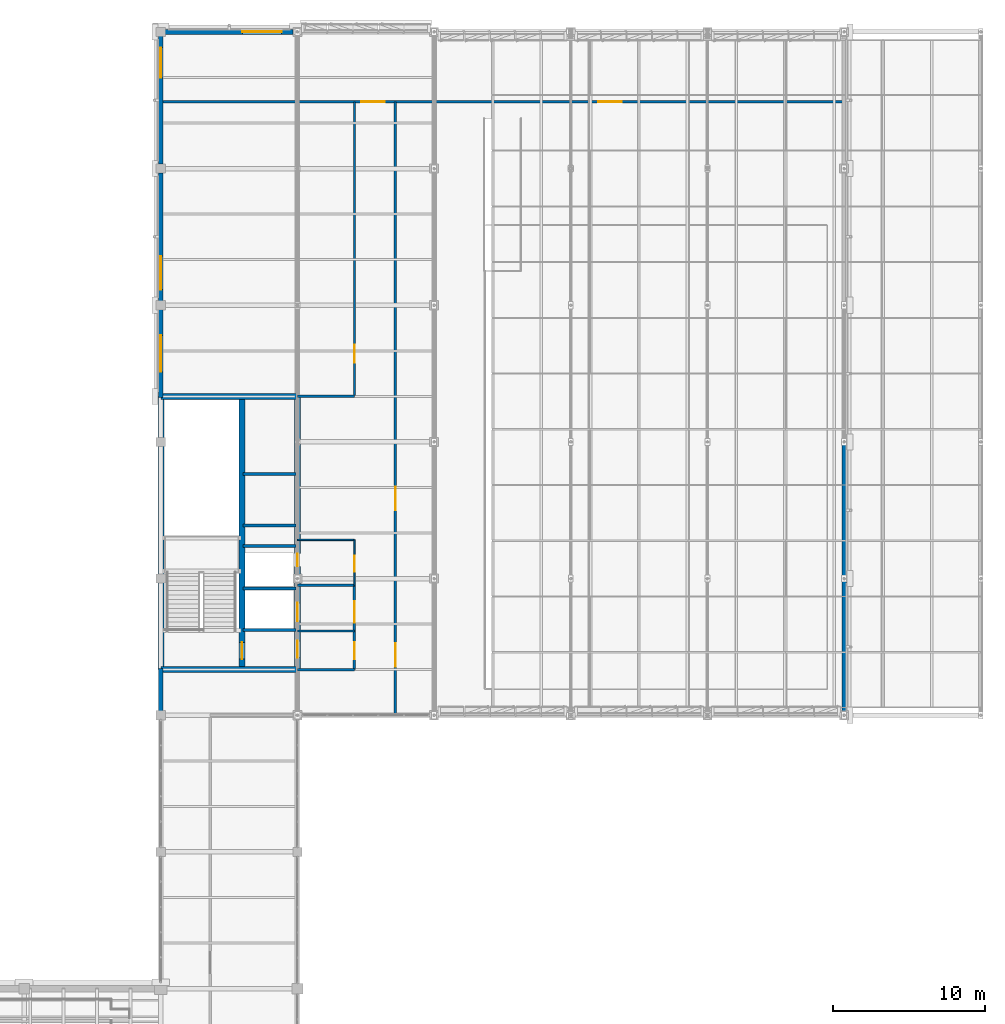
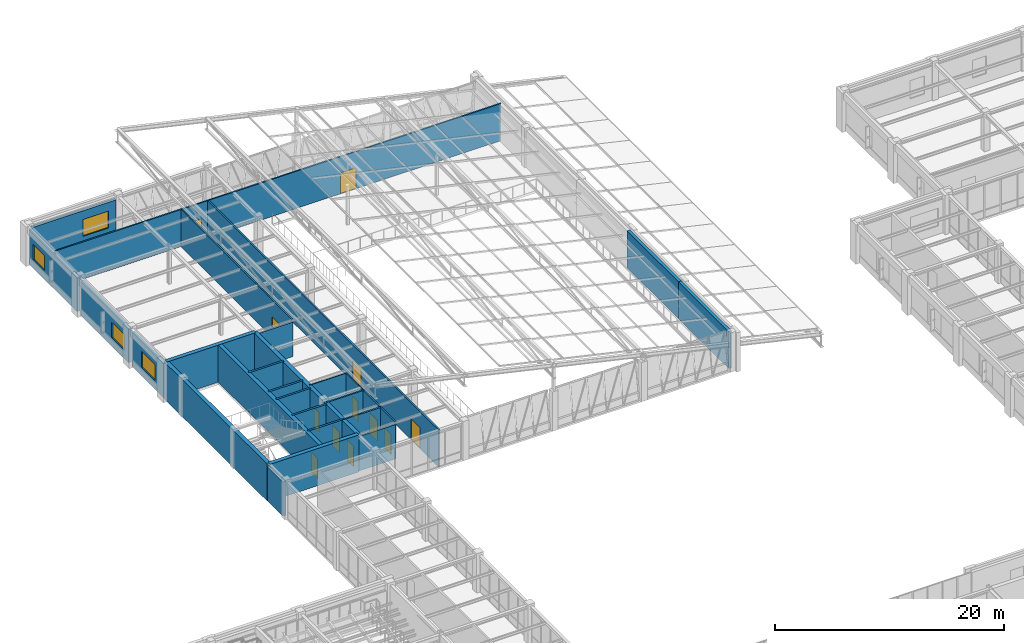
# One storey, part 115 of 130: 27 walls, 12 doors, 4 windows, 16 openings.
"""IFC4 building model written with IfcOpenShell, lengths in metres."""

import ifcopenshell
import ifcopenshell.guid

model = None  # the IFC model being written
_history = None  # IfcOwnerHistory: only IFC2X3 demands one
_inside = {}  # id of a spatial element -> (the spatial element, [elements in it])
_under = {}  # id of a project, library or spatial element -> (it, [spatial elements below it])
_declared = {}  # id of a project -> (the project, [libraries it declares])
_typed = {}  # id of a type object -> (the type object, [elements of that type])
_made_of = {}  # id of a material, layer set ... -> (it, [elements and type objects made of it])


def new_model(schema):
    """Start an empty IFC model of exactly this schema.

    Asked for "IFC4X3", IfcOpenShell would pick the latest addendum, in which some entities
    have other attributes; the version numbers below select the first issue.
    IFC2X3 requires an IfcOwnerHistory on every rooted entity: one is made here for all.
    """
    global model, _history
    if schema == "IFC4X3":
        model = ifcopenshell.file(schema_version=(4, 3, 0, 0))
    else:
        model = ifcopenshell.file(schema=schema)
    _inside.clear()
    _under.clear()
    _declared.clear()
    _typed.clear()
    _made_of.clear()
    _history = None
    if model.schema == "IFC2X3":
        org = make("IfcOrganization", Name="unknown")
        user = make(
            "IfcPersonAndOrganization",
            ThePerson=make("IfcPerson", FamilyName="unknown"),
            TheOrganization=org,
        )
        app = make(
            "IfcApplication",
            ApplicationDeveloper=org,
            Version="unknown",
            ApplicationFullName="unknown",
            ApplicationIdentifier="unknown",
        )
        _history = make(
            "IfcOwnerHistory",
            OwningUser=user,
            OwningApplication=app,
            ChangeAction="ADDED",
            CreationDate=0,
        )
    return model


def make(cls, **values):
    """One entity of the class cls with the attributes given. An attribute that is None is left unset."""
    return model.create_entity(
        cls, **{name: value for name, value in values.items() if value is not None}
    )


def rooted(cls, **values):
    """An entity with a GlobalId (a new one), such as an element, a storey or a relation."""
    return make(cls, GlobalId=ifcopenshell.guid.new(), OwnerHistory=_history, **values)


def si_unit(unit_type, name, prefix=None):
    """IfcSIUnit, for example si_unit("LENGTHUNIT", "METRE", prefix="MILLI")."""
    return make("IfcSIUnit", UnitType=unit_type, Prefix=prefix, Name=name)


def assignment(units):
    """IfcUnitAssignment: the units of a project."""
    return None if units is None else make("IfcUnitAssignment", Units=units)


def point(xyz):
    """IfcCartesianPoint."""
    return None if xyz is None else make("IfcCartesianPoint", Coordinates=xyz)


def direction(xyz):
    """IfcDirection."""
    return None if xyz is None else make("IfcDirection", DirectionRatios=xyz)


def frame(location, z_axis=None, x_axis=None):
    """IfcAxis2Placement3D, a coordinate frame: its origin and axes. An axis left out is left unset."""
    return make(
        "IfcAxis2Placement3D",
        Location=point(location),
        Axis=direction(z_axis),
        RefDirection=direction(x_axis),
    )


def frame_2d(location, x_axis=None):
    """IfcAxis2Placement2D, a coordinate frame in the plane: its origin and x axis."""
    return make(
        "IfcAxis2Placement2D", Location=point(location), RefDirection=direction(x_axis)
    )


def origin():
    """The frame at (0, 0, 0) with its axes left unset."""
    return frame((0.0, 0.0, 0.0))


def place(relative_to, where):
    """IfcLocalPlacement: puts the frame where relative to a parent placement (None: the world)."""
    return make(
        "IfcLocalPlacement", PlacementRelTo=relative_to, RelativePlacement=where
    )


def context(
    kind, dimensions, precision=None, world=None, true_north=None, identifier=None
):
    """IfcGeometricRepresentationContext, for example the 3D "Model" context."""
    return make(
        "IfcGeometricRepresentationContext",
        ContextIdentifier=identifier,
        ContextType=kind,
        CoordinateSpaceDimension=dimensions,
        Precision=precision,
        WorldCoordinateSystem=world,
        TrueNorth=true_north,
    )


def subcontext(parent, identifier, kind, view, scale=None):
    """IfcGeometricRepresentationSubContext, for example "Body" below "Model"."""
    return make(
        "IfcGeometricRepresentationSubContext",
        ContextIdentifier=identifier,
        ContextType=kind,
        ParentContext=parent,
        TargetScale=scale,
        TargetView=view,
    )


def project(units=None, contexts=None):
    """IfcProject with its units and contexts."""
    return rooted(
        "IfcProject",
        Name="project",
        RepresentationContexts=contexts,
        UnitsInContext=assignment(units),
    )


def spatial(cls, under=None, at=None, **own):
    """A site, building, storey or space (cls), placed at a placement, below another one or the project."""
    s = rooted(cls, ObjectPlacement=at, **own)
    if under is not None:
        _under.setdefault(under.id(), (under, []))[1].append(s)
    return s


def profile(cls, at=None, kind="AREA", **sizes):
    """A parametric profile (cls). Its sizes go by their IFC names, for example OverallWidth=200.0."""
    return make(cls, ProfileType=kind, Position=at, **sizes)


def rectangle(**sizes):
    """IfcRectangleProfileDef."""
    return profile("IfcRectangleProfileDef", **sizes)


def extrude(swept, where, along, depth):
    """IfcExtrudedAreaSolid: the profile swept, set in the frame where, extruded along a direction by depth."""
    return make(
        "IfcExtrudedAreaSolid",
        SweptArea=swept,
        Position=where,
        ExtrudedDirection=direction(along),
        Depth=depth,
    )


def shape(context_of_items, identifier, shape_type, items):
    """IfcShapeRepresentation: the items that make up one representation, for example the "Body"."""
    return make(
        "IfcShapeRepresentation",
        ContextOfItems=context_of_items,
        RepresentationIdentifier=identifier,
        RepresentationType=shape_type,
        Items=items,
    )


def material(Name=None, Category=None):
    """IfcMaterial."""
    return make("IfcMaterial", Name=Name, Category=Category)


def layer(
    of_material, thickness, ventilated=None, Name=None, Category=None, Priority=None
):
    """IfcMaterialLayer: one layer of a wall or slab, of a material (None: an air gap)."""
    return make(
        "IfcMaterialLayer",
        Material=of_material,
        LayerThickness=thickness,
        IsVentilated=ventilated,
        Name=Name,
        Category=Category,
        Priority=Priority,
    )


def layer_set(layers, Name=None):
    """IfcMaterialLayerSet."""
    return make("IfcMaterialLayerSet", MaterialLayers=layers, LayerSetName=Name)


def made_of(thing, what):
    """Note that an element or type object is made of a material, layer set ...; save() writes the relation."""
    if what is not None:
        _made_of.setdefault(what.id(), (what, []))[1].append(thing)
    return thing


def type_object(cls, material=None, **own):
    """A type object (cls), such as IfcWallType, which elements share."""
    return made_of(rooted(cls, **own), material)


def element(
    cls,
    number,
    at=None,
    inside=None,
    cuts=None,
    type_object=None,
    material=None,
    context=None,
    identifier="Body",
    shape_type=None,
    held_by="IfcProductDefinitionShape",
    body=None,
    shapes=None,
    **own,
):
    """One element of the class cls, such as IfcWall. Its Tag is "e" and its number.

    at: its placement. inside: the storey or other place that contains it. cuts: it is an
    opening in that element (IfcRelVoidsElement). A single representation is given by context,
    identifier, shape_type and body (its items); several are given by shapes. held_by: the class
    of the entity that holds the representations. save() writes the other relations.
    """
    e = rooted(cls, Tag="e%d" % number, ObjectPlacement=at, **own)
    if body is not None:
        shapes = [shape(context, identifier, shape_type, body)]
    if shapes is not None:
        e.Representation = make(held_by, Representations=shapes)
    if inside is not None:
        _inside.setdefault(inside.id(), (inside, []))[1].append(e)
    if cuts is not None:
        rooted(
            "IfcRelVoidsElement", RelatingBuildingElement=cuts, RelatedOpeningElement=e
        )
    if type_object is not None:
        _typed.setdefault(type_object.id(), (type_object, []))[1].append(e)
    return made_of(e, material)


def fill(opening, filler):
    """IfcRelFillsElement: the door or window that sits in an opening."""
    return rooted(
        "IfcRelFillsElement",
        RelatingOpeningElement=opening,
        RelatedBuildingElement=filler,
    )


def aggregate(whole, parts):
    """IfcRelAggregates: a whole, such as a stair, and the parts it consists of."""
    return rooted("IfcRelAggregates", RelatingObject=whole, RelatedObjects=parts)


def save(model, path):
    """Write the relations noted so far, then the file.

    IfcRelAggregates (storeys below a building ...), IfcRelContainedInSpatialStructure (elements
    in a storey), IfcRelDefinesByType, IfcRelAssociatesMaterial and IfcRelDeclares: one each for
    every whole, place, type object, material and project.
    """
    for whole, parts in _under.values():
        aggregate(whole, parts)
    for where, things in _inside.values():
        rooted(
            "IfcRelContainedInSpatialStructure",
            RelatedElements=things,
            RelatingStructure=where,
        )
    for kind, things in _typed.values():
        rooted("IfcRelDefinesByType", RelatedObjects=things, RelatingType=kind)
    for what, things in _made_of.values():
        rooted("IfcRelAssociatesMaterial", RelatedObjects=things, RelatingMaterial=what)
    for by, libraries in _declared.values():
        rooted("IfcRelDeclares", RelatingContext=by, RelatedDefinitions=libraries)
    model.write(path)


model = new_model("IFC4")

# Units and contexts
model_context = context("Model", 3, precision=1e-05, world=origin(), true_north=direction((0.0, 1.0)))
body_context = subcontext(model_context, "Body", "Model", "MODEL_VIEW")
ifc_project = project(units=[si_unit("LENGTHUNIT", "METRE"), si_unit("AREAUNIT", "SQUARE_METRE"), si_unit("VOLUMEUNIT", "CUBIC_METRE"), si_unit("PLANEANGLEUNIT", "RADIAN"), si_unit("MASSUNIT", "GRAM", prefix="KILO")], contexts=[model_context])

# Site, building, storey
site_placement = place(None, origin())
site = spatial("IfcSite", under=ifc_project, at=site_placement, CompositionType="ELEMENT")
building_placement = place(site_placement, origin())
building = spatial("IfcBuilding", under=site, at=building_placement, Name="Lykobir Media Centre", CompositionType="ELEMENT")
storey_placement = place(building_placement, frame((0.0, 0.0, 19.199951171875)))
storey = spatial("IfcBuildingStorey", under=building, at=storey_placement, Name="L04", CompositionType="ELEMENT", Elevation=19.199951171875)

# Walls
ifc_material_1 = material(Name="Glazed Turquoise Terracotta", Category="masonry")
ifc_layer_1 = layer(ifc_material_1, 0.31005859375, Name="Glazed Turquoise Terracotta")
ifc_layer_set_1 = layer_set([ifc_layer_1], Name="Glazed Turquoise Terracotta")
wall_type_1 = type_object("IfcWallType", Name="EW-TER-310", PredefinedType="STANDARD", material=ifc_layer_set_1)
wall_1_placement = place(storey_placement, frame((72.0, 63.284912109375, 0.0), z_axis=(0.0, 0.0, 1.0), x_axis=(0.0, 1.0, 0.0)))
element("IfcWall", 1, at=wall_1_placement, inside=storey, type_object=wall_type_1, Name="Exterior wall WALL-L04-0279", PredefinedType="STANDARD", context=body_context, shape_type="SweptSolid", body=[
    extrude(rectangle(XDim=8.7900390625, YDim=0.31005859375, at=frame_2d((4.39501953125, 0.0))), origin(), (0.0, 0.0, 1.0), 3.93994140625),
])
wall_2_placement = place(storey_placement, frame((72.0, 71.925048828125, 0.0), z_axis=(0.0, 0.0, 1.0), x_axis=(0.0, 1.0, 0.0)))
element("IfcWall", 2, at=wall_2_placement, inside=storey, type_object=wall_type_1, Name="Exterior wall WALL-L04-0280", PredefinedType="STANDARD", context=body_context, shape_type="SweptSolid", body=[
    extrude(rectangle(XDim=9.14990234375, YDim=0.31005859375, at=frame_2d((4.574951171875, 0.0))), origin(), (0.0, 0.0, 1.0), 3.93994140625),
])

# Wall, opening, window
wall_3_placement = place(storey_placement, frame((35.715087890625, 108.0, 0.0), z_axis=(0.0, 0.0, 1.0), x_axis=(-1.0, 0.0, 0.0)))
wall_3 = element("IfcWall", 3, at=wall_3_placement, inside=storey, type_object=wall_type_1, Name="Exterior wall WALL-L04-0284", PredefinedType="STANDARD", context=body_context, shape_type="SweptSolid", body=[
    extrude(rectangle(XDim=8.43017578125, YDim=0.31005859375, at=frame_2d((4.215087890625, 0.0))), origin(), (0.0, 0.0, 1.0), 3.635009765625),
])
opening_1_placement = place(wall_3_placement, frame((0.75, 0.0, 0.89990234375)))
opening_1 = element("IfcOpeningElement", 4, at=opening_1_placement, cuts=wall_3, Name="Opening WN-2600x1800", PredefinedType="OPENING", context=body_context, shape_type="SweptSolid", body=[
    extrude(rectangle(XDim=2.60009765625, YDim=1.800048828125, at=frame_2d((1.300048828125, 0.89990234375))), frame((0.0, 0.1650390625, 0.0), z_axis=(0.0, -1.0, 0.0), x_axis=(1.0, 0.0, 0.0)), (0.0, 0.0, 1.0), 0.330078125),
])
ifc_material_2 = material(Name="Low-E Laminated Triple Glazing", Category="glass")
window_type_1 = type_object("IfcWindowType", Name="WN-2600x1800", PartitioningType="SINGLE_PANEL", PredefinedType="WINDOW", material=ifc_material_2)
window_1_placement = place(opening_1_placement, origin())
window_1 = element("IfcWindow", 5, at=window_1_placement, inside=storey, type_object=window_type_1, Name="Window WIN-L04-0104", OverallHeight=1.800048828125, OverallWidth=2.60009765625, PartitioningType="SINGLE_PANEL", PredefinedType="WINDOW", context=body_context, shape_type="SweptSolid", body=[
    extrude(rectangle(XDim=2.60009765625, YDim=1.800048828125, at=frame_2d((1.300048828125, 0.89990234375))), frame((0.0, 0.030029296875, 0.0), z_axis=(0.0, -1.0, 0.0), x_axis=(1.0, 0.0, 0.0)), (0.0, 0.0, 1.0), 0.06005859375),
])
fill(opening_1, window_1)

# Wall
wall_4_placement = place(storey_placement, frame((27.0, 66.074951171875, 0.0), z_axis=(0.0, 0.0, 1.0), x_axis=(0.0, -1.0, 0.0)))
element("IfcWall", 6, at=wall_4_placement, inside=storey, type_object=wall_type_1, Name="Exterior wall WALL-L04-0285", PredefinedType="STANDARD", context=body_context, shape_type="SweptSolid", body=[
    extrude(rectangle(XDim=2.7900390625, YDim=0.31005859375, at=frame_2d((1.39501953125, 0.0))), origin(), (0.0, 0.0, 1.0), 3.635009765625),
])

# Wall, opening, window
wall_5_placement = place(storey_placement, frame((27.0, 89.715087890625, 0.0), z_axis=(0.0, 0.0, 1.0), x_axis=(0.0, -1.0, 0.0)))
wall_5 = element("IfcWall", 7, at=wall_5_placement, inside=storey, type_object=wall_type_1, Name="Exterior wall WALL-L04-0286", PredefinedType="STANDARD", context=body_context, shape_type="SweptSolid", body=[
    extrude(rectangle(XDim=5.7900390625, YDim=0.31005859375, at=frame_2d((2.89501953125, 0.0))), origin(), (0.0, 0.0, 1.0), 3.635009765625),
])
opening_2_placement = place(wall_5_placement, frame((1.695068359375, 0.0, 0.89990234375)))
opening_2 = element("IfcOpeningElement", 8, at=opening_2_placement, cuts=wall_5, Name="Opening WN-2400x1700", PredefinedType="OPENING", context=body_context, shape_type="SweptSolid", body=[
    extrude(rectangle(XDim=2.39990234375, YDim=1.699951171875, at=frame_2d((1.199951171875, 0.85009765625))), frame((0.0, 0.1650390625, 0.0), z_axis=(0.0, -1.0, 0.0), x_axis=(1.0, 0.0, 0.0)), (0.0, 0.0, 1.0), 0.330078125),
])
window_type_2 = type_object("IfcWindowType", Name="WN-2400x1700", PartitioningType="SINGLE_PANEL", PredefinedType="WINDOW", material=ifc_material_2)
window_2_placement = place(opening_2_placement, origin())
window_2 = element("IfcWindow", 9, at=window_2_placement, inside=storey, type_object=window_type_2, Name="Window WIN-L04-0105", OverallHeight=1.699951171875, OverallWidth=2.39990234375, PartitioningType="SINGLE_PANEL", PredefinedType="WINDOW", context=body_context, shape_type="SweptSolid", body=[
    extrude(rectangle(XDim=2.39990234375, YDim=1.699951171875, at=frame_2d((1.199951171875, 0.85009765625))), frame((0.0, 0.030029296875, 0.0), z_axis=(0.0, -1.0, 0.0), x_axis=(1.0, 0.0, 0.0)), (0.0, 0.0, 1.0), 0.06005859375),
])
fill(opening_2, window_2)

wall_6_placement = place(storey_placement, frame((27.0, 98.715087890625, 0.0), z_axis=(0.0, 0.0, 1.0), x_axis=(0.0, -1.0, 0.0)))
wall_6 = element("IfcWall", 10, at=wall_6_placement, inside=storey, type_object=wall_type_1, Name="Exterior wall WALL-L04-0287", PredefinedType="STANDARD", context=body_context, shape_type="SweptSolid", body=[
    extrude(rectangle(XDim=8.43017578125, YDim=0.31005859375, at=frame_2d((4.215087890625, 0.0))), origin(), (0.0, 0.0, 1.0), 3.635009765625),
])
opening_3_placement = place(wall_6_placement, frame((5.47998046875, 0.0, 0.89990234375)))
opening_3 = element("IfcOpeningElement", 11, at=opening_3_placement, cuts=wall_6, Name="Opening WN-2200x1650", PredefinedType="OPENING", context=body_context, shape_type="SweptSolid", body=[
    extrude(rectangle(XDim=2.199951171875, YDim=1.64990234375, at=frame_2d((1.10009765625, 0.824951171875))), frame((0.0, 0.1650390625, 0.0), z_axis=(0.0, -1.0, 0.0), x_axis=(1.0, 0.0, 0.0)), (0.0, 0.0, 1.0), 0.330078125),
])
window_type_3 = type_object("IfcWindowType", Name="WN-2200x1650", PartitioningType="SINGLE_PANEL", PredefinedType="WINDOW", material=ifc_material_2)
window_3_placement = place(opening_3_placement, origin())
window_3 = element("IfcWindow", 12, at=window_3_placement, inside=storey, type_object=window_type_3, Name="Window WIN-L04-0106", OverallHeight=1.64990234375, OverallWidth=2.199951171875, PartitioningType="SINGLE_PANEL", PredefinedType="WINDOW", context=body_context, shape_type="SweptSolid", body=[
    extrude(rectangle(XDim=2.199951171875, YDim=1.64990234375, at=frame_2d((1.10009765625, 0.824951171875))), frame((0.0, 0.030029296875, 0.0), z_axis=(0.0, -1.0, 0.0), x_axis=(1.0, 0.0, 0.0)), (0.0, 0.0, 1.0), 0.06005859375),
])
fill(opening_3, window_3)

wall_7_placement = place(storey_placement, frame((27.0, 107.715087890625, 0.0), z_axis=(0.0, 0.0, 1.0), x_axis=(0.0, -1.0, 0.0)))
wall_7 = element("IfcWall", 13, at=wall_7_placement, inside=storey, type_object=wall_type_1, Name="Exterior wall WALL-L04-0288", PredefinedType="STANDARD", context=body_context, shape_type="SweptSolid", body=[
    extrude(rectangle(XDim=8.43017578125, YDim=0.31005859375, at=frame_2d((4.215087890625, 0.0))), origin(), (0.0, 0.0, 1.0), 3.635009765625),
])
opening_4_placement = place(wall_7_placement, frame((0.75, 0.0, 0.89990234375)))
opening_4 = element("IfcOpeningElement", 14, at=opening_4_placement, cuts=wall_7, Name="Opening WN-2000x1600", PredefinedType="OPENING", context=body_context, shape_type="SweptSolid", body=[
    extrude(rectangle(XDim=2.0, YDim=1.60009765625, at=frame_2d((1.0, 0.800048828125))), frame((0.0, 0.1650390625, 0.0), z_axis=(0.0, -1.0, 0.0), x_axis=(1.0, 0.0, 0.0)), (0.0, 0.0, 1.0), 0.330078125),
])
window_type_4 = type_object("IfcWindowType", Name="WN-2000x1600", PartitioningType="SINGLE_PANEL", PredefinedType="WINDOW", material=ifc_material_2)
window_4_placement = place(opening_4_placement, origin())
window_4 = element("IfcWindow", 15, at=window_4_placement, inside=storey, type_object=window_type_4, Name="Window WIN-L04-0107", OverallHeight=1.60009765625, OverallWidth=2.0, PartitioningType="SINGLE_PANEL", PredefinedType="WINDOW", context=body_context, shape_type="SweptSolid", body=[
    extrude(rectangle(XDim=2.0, YDim=1.60009765625, at=frame_2d((1.0, 0.800048828125))), frame((0.0, 0.030029296875, 0.0), z_axis=(0.0, -1.0, 0.0), x_axis=(1.0, 0.0, 0.0)), (0.0, 0.0, 1.0), 0.06005859375),
])
fill(opening_4, window_4)

# Wall, opening, door
ifc_material_3 = material(Name="Acoustic Gypsum Board", Category="gypsum")
ifc_layer_2 = layer(ifc_material_3, 0.14501953125, Name="Acoustic Gypsum Board")
ifc_layer_set_2 = layer_set([ifc_layer_2], Name="Acoustic Gypsum Board")
wall_type_2 = type_object("IfcWallType", Name="IW-COR-145", PredefinedType="PARTITIONING", material=ifc_layer_set_2)
wall_8_placement = place(storey_placement, frame((39.75, 84.0, 0.0), z_axis=(0.0, 0.0, 1.0), x_axis=(0.0, 1.0, 0.0)))
wall_8 = element("IfcWall", 16, at=wall_8_placement, inside=storey, type_object=wall_type_2, Name="Wall IWALL-L04-0746", PredefinedType="PARTITIONING", context=body_context, shape_type="SweptSolid", body=[
    extrude(rectangle(XDim=19.39990234375, YDim=0.14501953125, at=frame_2d((9.699951171875, 0.0))), origin(), (0.0, 0.0, 1.0), 3.9599609375),
])
opening_5_placement = place(wall_8_placement, frame((2.199951171875, 0.0, 0.0)))
opening_5 = element("IfcOpeningElement", 17, at=opening_5_placement, cuts=wall_8, Name="Opening D-L04-NWS1", PredefinedType="OPENING", context=body_context, shape_type="SweptSolid", body=[
    extrude(rectangle(XDim=1.199951171875, YDim=2.179931640625, at=frame_2d((0.60009765625, 1.08984375))), frame((0.0, 0.08251953125, 0.0), z_axis=(0.0, -1.0, 0.0), x_axis=(1.0, 0.0, 0.0)), (0.0, 0.0, 1.0), 0.1650390625),
])
ifc_material_4 = material(Name="Acoustic Timber Panelling", Category="wood")
door_type_1 = type_object("IfcDoorType", Name="FD-1200x2180", OperationType="NOTDEFINED", PredefinedType="DOOR", material=ifc_material_4)
door_1_placement = place(opening_5_placement, origin())
door_1 = element("IfcDoor", 18, at=door_1_placement, inside=storey, type_object=door_type_1, Name="Door D-L04-NWS1", OperationType="SINGLE_SWING_LEFT", OverallHeight=2.179931640625, OverallWidth=1.199951171875, PredefinedType="DOOR", context=body_context, shape_type="SweptSolid", body=[
    extrude(rectangle(XDim=1.199951171875, YDim=2.179931640625, at=frame_2d((0.60009765625, 1.08984375))), frame((0.0, 0.02490234375, 0.0), z_axis=(0.0, -1.0, 0.0), x_axis=(1.0, 0.0, 0.0)), (0.0, 0.0, 1.0), 0.050048828125),
])
fill(opening_5, door_1)

# Wall, openings, doors
wall_9_placement = place(storey_placement, frame((27.0, 103.39990234375, 0.0), z_axis=(0.0, 0.0, 1.0), x_axis=(1.0, 0.0, 0.0)))
wall_9 = element("IfcWall", 19, at=wall_9_placement, inside=storey, type_object=wall_type_2, Name="Wall IWALL-L04-0747", PredefinedType="PARTITIONING", context=body_context, shape_type="SweptSolid", body=[
    extrude(rectangle(XDim=45.0, YDim=0.14501953125, at=frame_2d((22.5, 0.0))), origin(), (0.0, 0.0, 1.0), 3.9599609375),
])
opening_6_placement = place(wall_9_placement, frame((13.199951171875, 0.0, 0.0)))
opening_6 = element("IfcOpeningElement", 20, at=opening_6_placement, cuts=wall_9, Name="Opening D-L04-LIB1", PredefinedType="OPENING", context=body_context, shape_type="SweptSolid", body=[
    extrude(rectangle(XDim=1.550048828125, YDim=2.239990234375, at=frame_2d((0.77490234375, 1.1201171875))), frame((0.0, 0.08251953125, 0.0), z_axis=(0.0, -1.0, 0.0), x_axis=(1.0, 0.0, 0.0)), (0.0, 0.0, 1.0), 0.1650390625),
])
opening_7_placement = place(wall_9_placement, frame((28.800048828125, 0.0, 0.0)))
opening_7 = element("IfcOpeningElement", 21, at=opening_7_placement, cuts=wall_9, Name="Opening D-L04-LIB2", PredefinedType="OPENING", context=body_context, shape_type="SweptSolid", body=[
    extrude(rectangle(XDim=1.550048828125, YDim=2.239990234375, at=frame_2d((0.77490234375, 1.1201171875))), frame((0.0, 0.08251953125, 0.0), z_axis=(0.0, -1.0, 0.0), x_axis=(1.0, 0.0, 0.0)), (0.0, 0.0, 1.0), 0.1650390625),
])
door_type_2 = type_object("IfcDoorType", Name="FD-1550x2240", OperationType="NOTDEFINED", PredefinedType="DOOR", material=ifc_material_4)
door_2_placement = place(opening_6_placement, origin())
door_2 = element("IfcDoor", 22, at=door_2_placement, inside=storey, type_object=door_type_2, Name="Door D-L04-LIB1", OperationType="DOUBLE_DOOR_SINGLE_SWING", OverallHeight=2.239990234375, OverallWidth=1.550048828125, PredefinedType="DOOR", context=body_context, shape_type="SweptSolid", body=[
    extrude(rectangle(XDim=1.550048828125, YDim=2.239990234375, at=frame_2d((0.77490234375, 1.1201171875))), frame((0.0, 0.02490234375, 0.0), z_axis=(0.0, -1.0, 0.0), x_axis=(1.0, 0.0, 0.0)), (0.0, 0.0, 1.0), 0.050048828125),
])
fill(opening_6, door_2)
door_3_placement = place(opening_7_placement, origin())
door_3 = element("IfcDoor", 23, at=door_3_placement, inside=storey, type_object=door_type_2, Name="Door D-L04-LIB2", OperationType="DOUBLE_DOOR_SINGLE_SWING", OverallHeight=2.239990234375, OverallWidth=1.550048828125, PredefinedType="DOOR", context=body_context, shape_type="SweptSolid", body=[
    extrude(rectangle(XDim=1.550048828125, YDim=2.239990234375, at=frame_2d((0.77490234375, 1.1201171875))), frame((0.0, 0.02490234375, 0.0), z_axis=(0.0, -1.0, 0.0), x_axis=(1.0, 0.0, 0.0)), (0.0, 0.0, 1.0), 0.050048828125),
])
fill(opening_7, door_3)

ifc_layer_3 = layer(ifc_material_3, 0.159912109375, Name="Acoustic Gypsum Board")
ifc_layer_set_3 = layer_set([ifc_layer_3], Name="Acoustic Gypsum Board")
wall_type_3 = type_object("IfcWallType", Name="IW-COR-160", PredefinedType="PARTITIONING", material=ifc_layer_set_3)
wall_10_placement = place(storey_placement, frame((39.75, 66.0, 0.0), z_axis=(0.0, 0.0, 1.0), x_axis=(0.0, 1.0, 0.0)))
wall_10 = element("IfcWall", 24, at=wall_10_placement, inside=storey, type_object=wall_type_3, Name="Wall IWALL-L04-0433", PredefinedType="PARTITIONING", context=body_context, shape_type="SweptSolid", body=[
    extrude(rectangle(XDim=5.550048828125, YDim=0.159912109375, at=frame_2d((2.77490234375, 0.0))), origin(), (0.0, 0.0, 1.0), 3.9599609375),
])
opening_8_placement = place(wall_10_placement, frame((0.699951171875, 0.0, 0.0)))
opening_8 = element("IfcOpeningElement", 25, at=opening_8_placement, cuts=wall_10, Name="Opening D-L04-C3LV", PredefinedType="OPENING", context=body_context, shape_type="SweptSolid", body=[
    extrude(rectangle(XDim=1.10009765625, YDim=2.159912109375, at=frame_2d((0.550048828125, 1.080078125))), frame((0.0, 0.08984375, 0.0), z_axis=(0.0, -1.0, 0.0), x_axis=(1.0, 0.0, 0.0)), (0.0, 0.0, 1.0), 0.179931640625),
])
opening_9_placement = place(wall_10_placement, frame((3.10009765625, 0.0, 0.0)))
opening_9 = element("IfcOpeningElement", 26, at=opening_9_placement, cuts=wall_10, Name="Opening D-L04-C3PL", PredefinedType="OPENING", context=body_context, shape_type="SweptSolid", body=[
    extrude(rectangle(XDim=1.39990234375, YDim=2.199951171875, at=frame_2d((0.699951171875, 1.10009765625))), frame((0.0, 0.08984375, 0.0), z_axis=(0.0, -1.0, 0.0), x_axis=(1.0, 0.0, 0.0)), (0.0, 0.0, 1.0), 0.179931640625),
])
door_type_3 = type_object("IfcDoorType", Name="FD-1100x2160", OperationType="NOTDEFINED", PredefinedType="DOOR", material=ifc_material_4)
door_4_placement = place(opening_8_placement, origin())
door_4 = element("IfcDoor", 27, at=door_4_placement, inside=storey, type_object=door_type_3, Name="Door D-L04-C3LV", OperationType="SINGLE_SWING_RIGHT", OverallHeight=2.159912109375, OverallWidth=1.10009765625, PredefinedType="DOOR", context=body_context, shape_type="SweptSolid", body=[
    extrude(rectangle(XDim=1.10009765625, YDim=2.159912109375, at=frame_2d((0.550048828125, 1.080078125))), frame((0.0, 0.02490234375, 0.0), z_axis=(0.0, -1.0, 0.0), x_axis=(1.0, 0.0, 0.0)), (0.0, 0.0, 1.0), 0.050048828125),
])
fill(opening_8, door_4)
door_type_4 = type_object("IfcDoorType", Name="FD-1400x2200", OperationType="NOTDEFINED", PredefinedType="DOOR", material=ifc_material_4)
door_5_placement = place(opening_9_placement, origin())
door_5 = element("IfcDoor", 28, at=door_5_placement, inside=storey, type_object=door_type_4, Name="Door D-L04-C3PL", OperationType="DOUBLE_DOOR_SINGLE_SWING", OverallHeight=2.199951171875, OverallWidth=1.39990234375, PredefinedType="DOOR", context=body_context, shape_type="SweptSolid", body=[
    extrude(rectangle(XDim=1.39990234375, YDim=2.199951171875, at=frame_2d((0.699951171875, 1.10009765625))), frame((0.0, 0.02490234375, 0.0), z_axis=(0.0, -1.0, 0.0), x_axis=(1.0, 0.0, 0.0)), (0.0, 0.0, 1.0), 0.050048828125),
])
fill(opening_9, door_5)

# Walls
wall_11_placement = place(storey_placement, frame((36.0, 66.0, 0.0), z_axis=(0.0, 0.0, 1.0), x_axis=(1.0, 0.0, 0.0)))
element("IfcWall", 29, at=wall_11_placement, inside=storey, type_object=wall_type_3, Name="Wall IWALL-L04-0434", PredefinedType="PARTITIONING", context=body_context, shape_type="SweptSolid", body=[
    extrude(rectangle(XDim=3.75, YDim=0.159912109375, at=frame_2d((1.875, 0.0))), origin(), (0.0, 0.0, 1.0), 3.675048828125),
])
for number, where, z_axis, x_axis, name in (
    (30, (36.0, 68.550048828125, 0.0), (0.0, 0.0, 1.0), (1.0, 0.0, 0.0), "Wall IWALL-L04-0435"),
    (31, (36.0, 71.550048828125, 0.0), (0.0, 0.0, 1.0), (1.0, 0.0, 0.0), "Wall IWALL-L04-0436"),
):
    element("IfcWall", number, at=place(storey_placement, frame(where, z_axis=z_axis, x_axis=x_axis)), inside=storey, type_object=wall_type_3, Name=name, PredefinedType="PARTITIONING", context=body_context, shape_type="SweptSolid", body=[
        extrude(rectangle(XDim=3.75, YDim=0.159912109375, at=frame_2d((1.875, 0.0))), origin(), (0.0, 0.0, 1.0), 3.9599609375),
    ])

# Wall, openings, doors
wall_12_placement = place(storey_placement, frame((42.449951171875, 63.0, 0.0), z_axis=(0.0, 0.0, 1.0), x_axis=(0.0, 1.0, 0.0)))
wall_12 = element("IfcWall", 32, at=wall_12_placement, inside=storey, type_object=wall_type_3, Name="Wall IWALL-L04-0744", PredefinedType="PARTITIONING", context=body_context, shape_type="SweptSolid", body=[
    extrude(rectangle(XDim=40.39990234375, YDim=0.159912109375, at=frame_2d((20.199951171875, 0.0))), origin(), (0.0, 0.0, 1.0), 3.9599609375),
])
opening_10_placement = place(wall_12_placement, frame((3.199951171875, 0.0, 0.0)))
opening_10 = element("IfcOpeningElement", 33, at=opening_10_placement, cuts=wall_12, Name="Opening D-L04-VAL1", PredefinedType="OPENING", context=body_context, shape_type="SweptSolid", body=[
    extrude(rectangle(XDim=1.550048828125, YDim=2.239990234375, at=frame_2d((0.77490234375, 1.1201171875))), frame((0.0, 0.08984375, 0.0), z_axis=(0.0, -1.0, 0.0), x_axis=(1.0, 0.0, 0.0)), (0.0, 0.0, 1.0), 0.179931640625),
])
opening_11_placement = place(wall_12_placement, frame((13.5, 0.0, 0.0)))
opening_11 = element("IfcOpeningElement", 34, at=opening_11_placement, cuts=wall_12, Name="Opening D-L04-VAL2", PredefinedType="OPENING", context=body_context, shape_type="SweptSolid", body=[
    extrude(rectangle(XDim=1.550048828125, YDim=2.239990234375, at=frame_2d((0.77490234375, 1.1201171875))), frame((0.0, 0.08984375, 0.0), z_axis=(0.0, -1.0, 0.0), x_axis=(1.0, 0.0, 0.0)), (0.0, 0.0, 1.0), 0.179931640625),
])
door_6_placement = place(opening_10_placement, origin())
door_6 = element("IfcDoor", 35, at=door_6_placement, inside=storey, type_object=door_type_2, Name="Door D-L04-VAL1", OperationType="DOUBLE_DOOR_SINGLE_SWING", OverallHeight=2.239990234375, OverallWidth=1.550048828125, PredefinedType="DOOR", context=body_context, shape_type="SweptSolid", body=[
    extrude(rectangle(XDim=1.550048828125, YDim=2.239990234375, at=frame_2d((0.77490234375, 1.1201171875))), frame((0.0, 0.02490234375, 0.0), z_axis=(0.0, -1.0, 0.0), x_axis=(1.0, 0.0, 0.0)), (0.0, 0.0, 1.0), 0.050048828125),
])
fill(opening_10, door_6)
door_7_placement = place(opening_11_placement, origin())
door_7 = element("IfcDoor", 36, at=door_7_placement, inside=storey, type_object=door_type_2, Name="Door D-L04-VAL2", OperationType="DOUBLE_DOOR_SINGLE_SWING", OverallHeight=2.239990234375, OverallWidth=1.550048828125, PredefinedType="DOOR", context=body_context, shape_type="SweptSolid", body=[
    extrude(rectangle(XDim=1.550048828125, YDim=2.239990234375, at=frame_2d((0.77490234375, 1.1201171875))), frame((0.0, 0.02490234375, 0.0), z_axis=(0.0, -1.0, 0.0), x_axis=(1.0, 0.0, 0.0)), (0.0, 0.0, 1.0), 0.050048828125),
])
fill(opening_11, door_7)

# Walls
wall_13_placement = place(storey_placement, frame((36.0, 84.0, 0.0), z_axis=(0.0, 0.0, 1.0), x_axis=(1.0, 0.0, 0.0)))
element("IfcWall", 37, at=wall_13_placement, inside=storey, type_object=wall_type_3, Name="Wall IWALL-L04-0745", PredefinedType="PARTITIONING", context=body_context, shape_type="SweptSolid", body=[
    extrude(rectangle(XDim=3.75, YDim=0.159912109375, at=frame_2d((1.875, 0.0))), origin(), (0.0, 0.0, 1.0), 3.675048828125),
])
ifc_material_5 = material(Name="Concrete C30/37", Category="concrete")
ifc_layer_4 = layer(ifc_material_5, 0.199951171875, Name="Concrete C30/37")
ifc_layer_set_4 = layer_set([ifc_layer_4], Name="Concrete C30/37")
wall_type_4 = type_object("IfcWallType", Name="IW-SHAFT-200", PredefinedType="PARTITIONING", material=ifc_layer_set_4)
for number, where, z_axis, x_axis, name in (
    (38, (32.39990234375, 68.60009765625, 0.0), (0.0, 0.0, 1.0), (1.0, 0.0, 0.0), "Wall IWALL-L04-0428"),
    (39, (32.39990234375, 71.35009765625, 0.0), (0.0, 0.0, 1.0), (1.0, 0.0, 0.0), "Wall IWALL-L04-0429"),
    (40, (32.39990234375, 74.14990234375, 0.0), (0.0, 0.0, 1.0), (1.0, 0.0, 0.0), "Wall IWALL-L04-0430"),
    (41, (32.39990234375, 75.5, 0.0), (0.0, 0.0, 1.0), (1.0, 0.0, 0.0), "Wall IWALL-L04-0431"),
    (42, (32.39990234375, 78.89990234375, 0.0), (0.0, 0.0, 1.0), (1.0, 0.0, 0.0), "Wall IWALL-L04-0432"),
):
    element("IfcWall", number, at=place(storey_placement, frame(where, z_axis=z_axis, x_axis=x_axis)), inside=storey, type_object=wall_type_4, Name=name, PredefinedType="PARTITIONING", context=body_context, shape_type="SweptSolid", body=[
        extrude(rectangle(XDim=3.5, YDim=0.199951171875, at=frame_2d((1.75, 0.0))), origin(), (0.0, 0.0, 1.0), 3.9599609375),
    ])

# Wall, opening, door
ifc_layer_5 = layer(ifc_material_3, 0.094970703125, Name="Acoustic Gypsum Board")
ifc_layer_set_5 = layer_set([ifc_layer_5], Name="Acoustic Gypsum Board")
wall_type_5 = type_object("IfcWallType", Name="IW-WC-095", PredefinedType="PARTITIONING", material=ifc_layer_set_5)
wall_14_placement = place(storey_placement, frame((39.75, 71.550048828125, 0.0), z_axis=(0.0, 0.0, 1.0), x_axis=(0.0, 1.0, 0.0)))
wall_14 = element("IfcWall", 43, at=wall_14_placement, inside=storey, type_object=wall_type_5, Name="Wall IWALL-L04-0437", PredefinedType="PARTITIONING", context=body_context, shape_type="SweptSolid", body=[
    extrude(rectangle(XDim=3.0, YDim=0.094970703125, at=frame_2d((1.5, 0.0))), origin(), (0.0, 0.0, 1.0), 3.9599609375),
])
opening_12_placement = place(wall_14_placement, frame((0.89990234375, 0.0, 0.0)))
opening_12 = element("IfcOpeningElement", 44, at=opening_12_placement, cuts=wall_14, Name="Opening D-L04-WCA3", PredefinedType="OPENING", context=body_context, shape_type="SweptSolid", body=[
    extrude(rectangle(XDim=1.050048828125, YDim=2.1298828125, at=frame_2d((0.52490234375, 1.06494140625))), frame((0.0, 0.057373046875, 0.0), z_axis=(0.0, -1.0, 0.0), x_axis=(1.0, 0.0, 0.0)), (0.0, 0.0, 1.0), 0.114990234375),
])
door_type_5 = type_object("IfcDoorType", Name="ID-1050x2130", OperationType="NOTDEFINED", PredefinedType="DOOR", material=ifc_material_4)
door_8_placement = place(opening_12_placement, origin())
door_8 = element("IfcDoor", 45, at=door_8_placement, inside=storey, type_object=door_type_5, Name="Door D-L04-WCA3", OperationType="SINGLE_SWING_LEFT", OverallHeight=2.1298828125, OverallWidth=1.050048828125, PredefinedType="DOOR", context=body_context, shape_type="SweptSolid", body=[
    extrude(rectangle(XDim=1.050048828125, YDim=2.1298828125, at=frame_2d((0.52490234375, 1.06494140625))), frame((0.0, 0.02490234375, 0.0), z_axis=(0.0, -1.0, 0.0), x_axis=(1.0, 0.0, 0.0)), (0.0, 0.0, 1.0), 0.050048828125),
])
fill(opening_12, door_8)

# Walls
wall_15_placement = place(storey_placement, frame((36.0, 74.550048828125, 0.0), z_axis=(0.0, 0.0, 1.0), x_axis=(1.0, 0.0, 0.0)))
element("IfcWall", 46, at=wall_15_placement, inside=storey, type_object=wall_type_5, Name="Wall IWALL-L04-0438", PredefinedType="PARTITIONING", context=body_context, shape_type="SweptSolid", body=[
    extrude(rectangle(XDim=3.75, YDim=0.094970703125, at=frame_2d((1.875, 0.0))), origin(), (0.0, 0.0, 1.0), 3.9599609375),
])
ifc_material_6 = material(Name="Concrete C40/50", Category="concrete")
ifc_layer_6 = layer(ifc_material_6, 0.39990234375, Name="Concrete C40/50")
ifc_layer_set_6 = layer_set([ifc_layer_6], Name="Concrete C40/50")
wall_type_6 = type_object("IfcWallType", Name="SW-CORE-400", PredefinedType="SHEAR", material=ifc_layer_set_6)
wall_16_placement = place(storey_placement, frame((27.0, 66.0, 0.0), z_axis=(0.0, 0.0, 1.0), x_axis=(1.0, 0.0, 0.0)))
element("IfcWall", 47, at=wall_16_placement, inside=storey, type_object=wall_type_6, Name="Wall IWALL-L04-0423", PredefinedType="SHEAR", context=body_context, shape_type="SweptSolid", body=[
    extrude(rectangle(XDim=9.0, YDim=0.39990234375, at=frame_2d((4.5, 0.0))), origin(), (0.0, 0.0, 1.0), 3.9599609375),
])

# Wall, openings, doors
wall_17_placement = place(storey_placement, frame((36.0, 66.0, 0.0), z_axis=(0.0, 0.0, 1.0), x_axis=(0.0, 1.0, 0.0)))
wall_17 = element("IfcWall", 48, at=wall_17_placement, inside=storey, type_object=wall_type_6, Name="Wall IWALL-L04-0424", PredefinedType="SHEAR", context=body_context, shape_type="SweptSolid", body=[
    extrude(rectangle(XDim=18.0, YDim=0.39990234375, at=frame_2d((9.0, 0.0))), origin(), (0.0, 0.0, 1.0), 3.9599609375),
])
opening_13_placement = place(wall_17_placement, frame((0.800048828125, 0.0, 0.0)))
opening_13 = element("IfcOpeningElement", 49, at=opening_13_placement, cuts=wall_17, Name="Opening D-L04-C3VB", PredefinedType="OPENING", context=body_context, shape_type="SweptSolid", body=[
    extrude(rectangle(XDim=1.10009765625, YDim=2.159912109375, at=frame_2d((0.550048828125, 1.080078125))), frame((0.0, 0.2099609375, 0.0), z_axis=(0.0, -1.0, 0.0), x_axis=(1.0, 0.0, 0.0)), (0.0, 0.0, 1.0), 0.419921875),
])
opening_14_placement = place(wall_17_placement, frame((3.199951171875, 0.0, 0.0)))
opening_14 = element("IfcOpeningElement", 50, at=opening_14_placement, cuts=wall_17, Name="Opening LD-L04-PL-3", PredefinedType="OPENING", context=body_context, shape_type="SweptSolid", body=[
    extrude(rectangle(XDim=1.199951171875, YDim=2.199951171875, at=frame_2d((0.60009765625, 1.10009765625))), frame((0.0, 0.2099609375, 0.0), z_axis=(0.0, -1.0, 0.0), x_axis=(1.0, 0.0, 0.0)), (0.0, 0.0, 1.0), 0.419921875),
])
opening_15_placement = place(wall_17_placement, frame((6.800048828125, 0.0, 0.0)))
opening_15 = element("IfcOpeningElement", 51, at=opening_15_placement, cuts=wall_17, Name="Opening D-L04-C3RS", PredefinedType="OPENING", context=body_context, shape_type="SweptSolid", body=[
    extrude(rectangle(XDim=0.85009765625, YDim=2.10009765625, at=frame_2d((0.425048828125, 1.050048828125))), frame((0.0, 0.2099609375, 0.0), z_axis=(0.0, -1.0, 0.0), x_axis=(1.0, 0.0, 0.0)), (0.0, 0.0, 1.0), 0.419921875),
])
ifc_material_7 = material(Name="Anodized Aluminium AW-6060", Category="aluminium")
door_type_6 = type_object("IfcDoorType", Name="FD-0850x2100", OperationType="NOTDEFINED", PredefinedType="DOOR", material=ifc_material_7)
door_9_placement = place(opening_15_placement, origin())
door_9 = element("IfcDoor", 52, at=door_9_placement, inside=storey, type_object=door_type_6, Name="Riser access door C3 L04", OperationType="SINGLE_SWING_LEFT", OverallHeight=2.10009765625, OverallWidth=0.85009765625, PredefinedType="DOOR", context=body_context, shape_type="SweptSolid", body=[
    extrude(rectangle(XDim=0.85009765625, YDim=2.10009765625, at=frame_2d((0.425048828125, 1.050048828125))), frame((0.0, 0.02490234375, 0.0), z_axis=(0.0, -1.0, 0.0), x_axis=(1.0, 0.0, 0.0)), (0.0, 0.0, 1.0), 0.050048828125),
])
fill(opening_15, door_9)
door_10_placement = place(opening_13_placement, origin())
door_10 = element("IfcDoor", 53, at=door_10_placement, inside=storey, type_object=door_type_3, Name="Door D-L04-C3VB", OperationType="SINGLE_SWING_RIGHT", OverallHeight=2.159912109375, OverallWidth=1.10009765625, PredefinedType="DOOR", context=body_context, shape_type="SweptSolid", body=[
    extrude(rectangle(XDim=1.10009765625, YDim=2.159912109375, at=frame_2d((0.550048828125, 1.080078125))), frame((0.0, 0.02490234375, 0.0), z_axis=(0.0, -1.0, 0.0), x_axis=(1.0, 0.0, 0.0)), (0.0, 0.0, 1.0), 0.050048828125),
])
fill(opening_13, door_10)
door_type_7 = type_object("IfcDoorType", Name="LD-1200x2200", OperationType="NOTDEFINED", PredefinedType="DOOR", material=ifc_material_7)
door_11_placement = place(opening_14_placement, origin())
door_11 = element("IfcDoor", 54, at=door_11_placement, inside=storey, type_object=door_type_7, Name="Lift landing door PL-3 L04", OperationType="SLIDING_TO_LEFT", OverallHeight=2.199951171875, OverallWidth=1.199951171875, PredefinedType="DOOR", context=body_context, shape_type="SweptSolid", body=[
    extrude(rectangle(XDim=1.199951171875, YDim=2.199951171875, at=frame_2d((0.60009765625, 1.10009765625))), frame((0.0, 0.02490234375, 0.0), z_axis=(0.0, -1.0, 0.0), x_axis=(1.0, 0.0, 0.0)), (0.0, 0.0, 1.0), 0.050048828125),
])
fill(opening_14, door_11)

# Wall, opening, door
wall_18_placement = place(storey_placement, frame((32.35009765625, 66.0, 0.0), z_axis=(0.0, 0.0, 1.0), x_axis=(0.0, 1.0, 0.0)))
wall_18 = element("IfcWall", 55, at=wall_18_placement, inside=storey, type_object=wall_type_6, Name="Wall IWALL-L04-0427", PredefinedType="SHEAR", context=body_context, shape_type="SweptSolid", body=[
    extrude(rectangle(XDim=18.0, YDim=0.39990234375, at=frame_2d((9.0, 0.0))), origin(), (0.0, 0.0, 1.0), 3.9599609375),
])
opening_16_placement = place(wall_18_placement, frame((0.699951171875, 0.0, 0.0)))
opening_16 = element("IfcOpeningElement", 56, at=opening_16_placement, cuts=wall_18, Name="Opening D-L04-C3ST", PredefinedType="OPENING", context=body_context, shape_type="SweptSolid", body=[
    extrude(rectangle(XDim=1.10009765625, YDim=2.159912109375, at=frame_2d((0.550048828125, 1.080078125))), frame((0.0, 0.2099609375, 0.0), z_axis=(0.0, -1.0, 0.0), x_axis=(1.0, 0.0, 0.0)), (0.0, 0.0, 1.0), 0.419921875),
])
door_12_placement = place(opening_16_placement, frame((1.10009765625, 0.0, 0.0), z_axis=(0.0, 0.0, 1.0), x_axis=(-1.0, 0.0, 0.0)))
door_12 = element("IfcDoor", 57, at=door_12_placement, inside=storey, type_object=door_type_3, Name="L04 ST-3 stairwell fire door", OperationType="SINGLE_SWING_LEFT", OverallHeight=2.159912109375, OverallWidth=1.10009765625, PredefinedType="DOOR", context=body_context, shape_type="SweptSolid", body=[
    extrude(rectangle(XDim=1.10009765625, YDim=2.159912109375, at=frame_2d((0.550048828125, 1.080078125))), frame((0.0, 0.02490234375, 0.0), z_axis=(0.0, -1.0, 0.0), x_axis=(1.0, 0.0, 0.0)), (0.0, 0.0, 1.0), 0.050048828125),
])
fill(opening_16, door_12)

# Walls
ifc_layer_7 = layer(ifc_material_6, 0.39990234375, Name="Concrete C40/50")
ifc_layer_set_7 = layer_set([ifc_layer_7], Name="Concrete C40/50")
wall_type_7 = type_object("IfcWallType", Name="SW-CORE-400-E", PredefinedType="SHEAR", material=ifc_layer_set_7)
wall_19_placement = place(storey_placement, frame((36.0, 84.0, 0.0), z_axis=(0.0, 0.0, 1.0), x_axis=(-1.0, 0.0, 0.0)))
element("IfcWall", 58, at=wall_19_placement, inside=storey, type_object=wall_type_7, Name="Wall IWALL-L04-0425", PredefinedType="SHEAR", context=body_context, shape_type="SweptSolid", body=[
    extrude(rectangle(XDim=9.0, YDim=0.39990234375, at=frame_2d((4.5, 0.0))), origin(), (0.0, 0.0, 1.0), 3.9599609375),
])
wall_20_placement = place(storey_placement, frame((27.0, 84.0, 0.0), z_axis=(0.0, 0.0, 1.0), x_axis=(0.0, -1.0, 0.0)))
element("IfcWall", 59, at=wall_20_placement, inside=storey, type_object=wall_type_7, Name="Wall IWALL-L04-0426", PredefinedType="SHEAR", context=body_context, shape_type="SweptSolid", body=[
    extrude(rectangle(XDim=18.0, YDim=0.39990234375, at=frame_2d((9.0, 0.0))), origin(), (0.0, 0.0, 1.0), 3.9599609375),
])

save(model, "model.ifc")
